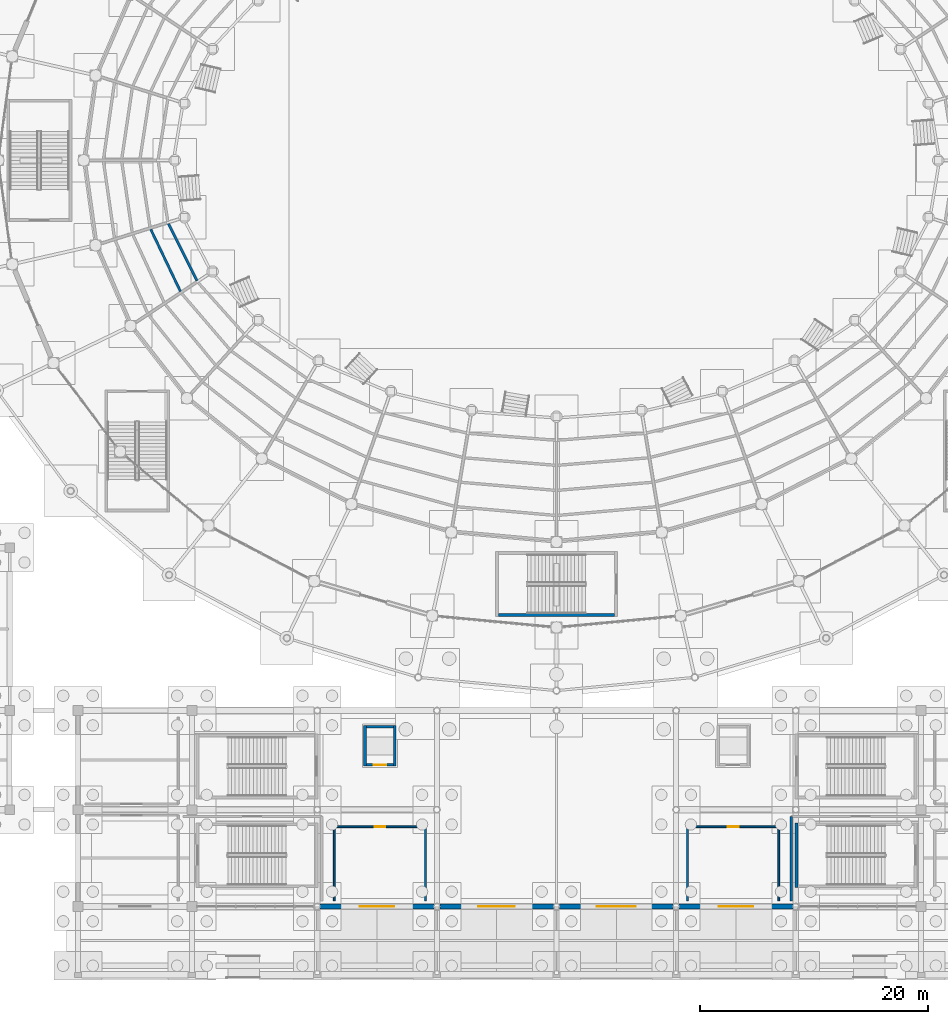
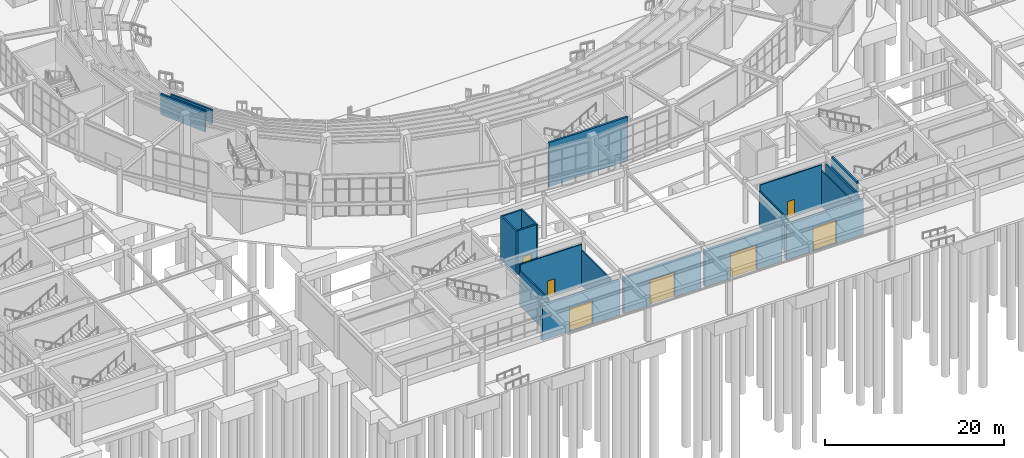
# One storey, part 83 of 121: 19 walls, 7 doors, 7 openings.
"""IFC4 building model written with IfcOpenShell, lengths in metres."""

from ifc_helpers import new_model, si_unit, direction, frame, frame_2d, origin, place, context, subcontext, project, spatial, rectangle, extrude, material, layer, layer_set, type_object, element, fill, save


model = new_model("IFC4")

# Units and contexts
model_context = context("Model", 3, precision=1e-05, world=origin(), true_north=direction((0.0, 1.0)))
body_context = subcontext(model_context, "Body", "Model", "MODEL_VIEW")
ifc_project = project(units=[si_unit("LENGTHUNIT", "METRE"), si_unit("AREAUNIT", "SQUARE_METRE"), si_unit("VOLUMEUNIT", "CUBIC_METRE"), si_unit("PLANEANGLEUNIT", "RADIAN"), si_unit("MASSUNIT", "GRAM", prefix="KILO")], contexts=[model_context])

# Site, building, storey
site_placement = place(None, origin())
site = spatial("IfcSite", under=ifc_project, at=site_placement, CompositionType="ELEMENT")
building_placement = place(site_placement, origin())
building = spatial("IfcBuilding", under=site, at=building_placement, Name="Cuetzalor Civic Arena", CompositionType="ELEMENT")
storey_placement = place(building_placement, origin())
storey = spatial("IfcBuildingStorey", under=building, at=storey_placement, Name="L00", CompositionType="ELEMENT", Elevation=0.0)

# Wall, opening, door
ifc_material_1 = material(Name="Acoustic steel-stud gypsum partition", Category="steel")
ifc_layer_1 = layer(ifc_material_1, 0.14990234375)
ifc_layer_set_1 = layer_set([ifc_layer_1], Name="Acoustic steel-stud gypsum partition")
wall_type_1 = type_object("IfcWallType", Name="AcousticGypsumPartition_150", PredefinedType="PARTITIONING", material=ifc_layer_set_1)
wall_1_placement = place(storey_placement, frame((-19.5, -58.5, 0.0), z_axis=(0.0, 0.0, 1.0), x_axis=(1.0, 0.0, 0.0)))
wall_1 = element("IfcWall", 1, at=wall_1_placement, inside=storey, type_object=wall_type_1, Name="Interior Partition IWALL:L00:0081", PredefinedType="PARTITIONING", context=body_context, shape_type="SweptSolid", body=[
    extrude(rectangle(XDim=8.0, YDim=0.14990234375, at=frame_2d((4.0, 0.0))), origin(), (0.0, 0.0, 1.0), 5.639892578125),
])
opening_1_placement = place(wall_1_placement, frame((3.52490234375, 0.0, 0.0)))
opening_1 = element("IfcOpeningElement", 2, at=opening_1_placement, cuts=wall_1, Name="Opening ID-03", PredefinedType="OPENING", context=body_context, shape_type="SweptSolid", body=[
    extrude(rectangle(XDim=0.949951171875, YDim=2.14990234375, at=frame_2d((0.47509765625, 1.074951171875))), frame((0.0, 0.0849609375, 0.0), z_axis=(0.0, -1.0, 0.0), x_axis=(1.0, 0.0, 0.0)), (0.0, 0.0, 1.0), 0.169921875),
])
ifc_material_2 = material(Name="Painted steel frame and solid timber leaf", Category="steel")
door_type_1 = type_object("IfcDoorType", Name="InteriorSingleDoor_950x2150", OperationType="NOTDEFINED", PredefinedType="DOOR", material=ifc_material_2)
door_1_placement = place(opening_1_placement, origin())
door_1 = element("IfcDoor", 3, at=door_1_placement, inside=storey, type_object=door_type_1, Name="Door to Public Restroom Foyer L00", OperationType="SINGLE_SWING_RIGHT", OverallHeight=2.14990234375, OverallWidth=0.949951171875, PredefinedType="DOOR", context=body_context, shape_type="SweptSolid", body=[
    extrude(rectangle(XDim=0.949951171875, YDim=2.14990234375, at=frame_2d((0.47509765625, 1.074951171875))), frame((0.0, 0.02490234375, 0.0), z_axis=(0.0, -1.0, 0.0), x_axis=(1.0, 0.0, 0.0)), (0.0, 0.0, 1.0), 0.050048828125),
])
fill(opening_1, door_1)

# Walls
for number, where, z_axis, x_axis, name in (
    (4, (-11.5, -58.5, 0.0), (0.0, 0.0, 1.0), (0.0, -1.0, 0.0), "Interior Partition IWALL:L00:0082"),
    (5, (-19.5, -65.0, 0.0), (0.0, 0.0, 1.0), (0.0, 1.0, 0.0), "Interior Partition IWALL:L00:0083"),
):
    element("IfcWall", number, at=place(storey_placement, frame(where, z_axis=z_axis, x_axis=x_axis)), inside=storey, type_object=wall_type_1, Name=name, PredefinedType="PARTITIONING", context=body_context, shape_type="SweptSolid", body=[
        extrude(rectangle(XDim=6.5, YDim=0.14990234375, at=frame_2d((3.25, 0.0))), origin(), (0.0, 0.0, 1.0), 4.824951171875),
    ])

# Wall, opening, door
wall_2_placement = place(storey_placement, frame((11.5, -58.5, 0.0), z_axis=(0.0, 0.0, 1.0), x_axis=(1.0, 0.0, 0.0)))
wall_2 = element("IfcWall", 6, at=wall_2_placement, inside=storey, type_object=wall_type_1, Name="Interior Partition IWALL:L00:0084", PredefinedType="PARTITIONING", context=body_context, shape_type="SweptSolid", body=[
    extrude(rectangle(XDim=8.0, YDim=0.14990234375, at=frame_2d((4.0, 0.0))), origin(), (0.0, 0.0, 1.0), 5.639892578125),
])
opening_2_placement = place(wall_2_placement, frame((3.52490234375, 0.0, 0.0)))
opening_2 = element("IfcOpeningElement", 7, at=opening_2_placement, cuts=wall_2, Name="Opening ID-03", PredefinedType="OPENING", context=body_context, shape_type="SweptSolid", body=[
    extrude(rectangle(XDim=0.949951171875, YDim=2.14990234375, at=frame_2d((0.47509765625, 1.074951171875))), frame((0.0, 0.0849609375, 0.0), z_axis=(0.0, -1.0, 0.0), x_axis=(1.0, 0.0, 0.0)), (0.0, 0.0, 1.0), 0.169921875),
])
door_2_placement = place(opening_2_placement, origin())
door_2 = element("IfcDoor", 8, at=door_2_placement, inside=storey, type_object=door_type_1, Name="Door to Accessible WC Foyer L00", OperationType="SINGLE_SWING_LEFT", OverallHeight=2.14990234375, OverallWidth=0.949951171875, PredefinedType="DOOR", context=body_context, shape_type="SweptSolid", body=[
    extrude(rectangle(XDim=0.949951171875, YDim=2.14990234375, at=frame_2d((0.47509765625, 1.074951171875))), frame((0.0, 0.02490234375, 0.0), z_axis=(0.0, -1.0, 0.0), x_axis=(1.0, 0.0, 0.0)), (0.0, 0.0, 1.0), 0.050048828125),
])
fill(opening_2, door_2)

# Walls
for number, where, z_axis, x_axis, name in (
    (9, (19.5, -58.5, 0.0), (0.0, 0.0, 1.0), (0.0, -1.0, 0.0), "Interior Partition IWALL:L00:0085"),
    (10, (11.5, -65.0, 0.0), (0.0, 0.0, 1.0), (0.0, 1.0, 0.0), "Interior Partition IWALL:L00:0086"),
):
    element("IfcWall", number, at=place(storey_placement, frame(where, z_axis=z_axis, x_axis=x_axis)), inside=storey, type_object=wall_type_1, Name=name, PredefinedType="PARTITIONING", context=body_context, shape_type="SweptSolid", body=[
        extrude(rectangle(XDim=6.5, YDim=0.14990234375, at=frame_2d((3.25, 0.0))), origin(), (0.0, 0.0, 1.0), 4.824951171875),
    ])

# Wall, opening, door
ifc_material_3 = material(Name="Puebla cantera gris stone on Concrete C35/45", Category="masonry")
ifc_layer_2 = layer(ifc_material_3, 0.419921875)
ifc_layer_set_2 = layer_set([ifc_layer_2], Name="Puebla cantera gris stone on Concrete C35/45")
wall_type_2 = type_object("IfcWallType", Name="CanteraStoneArcadeWall_420", PredefinedType="SOLIDWALL", material=ifc_layer_set_2)
wall_3_placement = place(storey_placement, frame((-10.761474609375, -65.5, 0.0), z_axis=(0.0, 0.0, 1.0), x_axis=(-1.0, 0.0, 0.0)))
wall_3 = element("IfcWall", 11, at=wall_3_placement, inside=storey, type_object=wall_type_2, Name="South Foyer Colonnade Entrance Wall L00-090", PredefinedType="SOLIDWALL", context=body_context, shape_type="SweptSolid", body=[
    extrude(rectangle(XDim=9.97705078125, YDim=0.419921875, at=frame_2d((4.988525390625, 0.0))), origin(), (0.0, 0.0, 1.0), 4.739990234375),
])
opening_3_placement = place(wall_3_placement, frame((3.488525390625, 0.0, 0.0)))
opening_3 = element("IfcOpeningElement", 12, at=opening_3_placement, cuts=wall_3, Name="Opening ED-04", PredefinedType="OPENING", context=body_context, shape_type="SweptSolid", body=[
    extrude(rectangle(XDim=3.0, YDim=3.199951171875, at=frame_2d((1.5, 1.60009765625))), frame((0.0, 0.219970703125, 0.0), z_axis=(0.0, -1.0, 0.0), x_axis=(1.0, 0.0, 0.0)), (0.0, 0.0, 1.0), 0.43994140625),
])
ifc_material_4 = material(Name="Thermally broken bronze steel and laminated glass", Category="steel")
door_type_2 = type_object("IfcDoorType", Name="MainColonnadeEntrance_3000x3200", OperationType="DOUBLE_DOOR_SINGLE_SWING", PredefinedType="DOOR", material=ifc_material_4)
door_3_placement = place(opening_3_placement, origin())
door_3 = element("IfcDoor", 13, at=door_3_placement, inside=storey, type_object=door_type_2, Name="Main entrance E02", OperationType="DOUBLE_DOOR_SINGLE_SWING", OverallHeight=3.199951171875, OverallWidth=3.0, PredefinedType="DOOR", context=body_context, shape_type="SweptSolid", body=[
    extrude(rectangle(XDim=3.0, YDim=3.199951171875, at=frame_2d((1.5, 1.60009765625))), frame((0.0, 0.02490234375, 0.0), z_axis=(0.0, -1.0, 0.0), x_axis=(1.0, 0.0, 0.0)), (0.0, 0.0, 1.0), 0.050048828125),
])
fill(opening_3, door_3)

wall_4_placement = place(storey_placement, frame((-0.261474609375, -65.5, 0.0), z_axis=(0.0, 0.0, 1.0), x_axis=(-1.0, 0.0, 0.0)))
wall_4 = element("IfcWall", 14, at=wall_4_placement, inside=storey, type_object=wall_type_2, Name="South Foyer Colonnade Entrance Wall L00-091", PredefinedType="SOLIDWALL", context=body_context, shape_type="SweptSolid", body=[
    extrude(rectangle(XDim=9.97705078125, YDim=0.419921875, at=frame_2d((4.988525390625, 0.0))), origin(), (0.0, 0.0, 1.0), 4.840087890625),
])
opening_4_placement = place(wall_4_placement, frame((3.388427734375, 0.0, 0.0)))
opening_4 = element("IfcOpeningElement", 15, at=opening_4_placement, cuts=wall_4, Name="Opening ED-05", PredefinedType="OPENING", context=body_context, shape_type="SweptSolid", body=[
    extrude(rectangle(XDim=3.199951171875, YDim=3.39990234375, at=frame_2d((1.60009765625, 1.699951171875))), frame((0.0, 0.219970703125, 0.0), z_axis=(0.0, -1.0, 0.0), x_axis=(1.0, 0.0, 0.0)), (0.0, 0.0, 1.0), 0.43994140625),
])
ifc_material_5 = material(Name="Thermally broken bronze steel and laminated glass", Category="steel")
door_type_3 = type_object("IfcDoorType", Name="CivicFoyerGrandPortal_3200x3400", OperationType="DOUBLE_DOOR_SINGLE_SWING", PredefinedType="DOOR", material=ifc_material_5)
door_4_placement = place(opening_4_placement, origin())
door_4 = element("IfcDoor", 16, at=door_4_placement, inside=storey, type_object=door_type_3, Name="Main entrance E03", OperationType="DOUBLE_DOOR_SINGLE_SWING", OverallHeight=3.39990234375, OverallWidth=3.199951171875, PredefinedType="DOOR", context=body_context, shape_type="SweptSolid", body=[
    extrude(rectangle(XDim=3.199951171875, YDim=3.39990234375, at=frame_2d((1.60009765625, 1.699951171875))), frame((0.0, 0.02490234375, 0.0), z_axis=(0.0, -1.0, 0.0), x_axis=(1.0, 0.0, 0.0)), (0.0, 0.0, 1.0), 0.050048828125),
])
fill(opening_4, door_4)

wall_5_placement = place(storey_placement, frame((10.238525390625, -65.5, 0.0), z_axis=(0.0, 0.0, 1.0), x_axis=(-1.0, 0.0, 0.0)))
wall_5 = element("IfcWall", 17, at=wall_5_placement, inside=storey, type_object=wall_type_2, Name="South Foyer Colonnade Entrance Wall L00-092", PredefinedType="SOLIDWALL", context=body_context, shape_type="SweptSolid", body=[
    extrude(rectangle(XDim=9.97705078125, YDim=0.419921875, at=frame_2d((4.988525390625, 0.0))), origin(), (0.0, 0.0, 1.0), 4.840087890625),
])
opening_5_placement = place(wall_5_placement, frame((3.28857421875, 0.0, 0.0)))
opening_5 = element("IfcOpeningElement", 18, at=opening_5_placement, cuts=wall_5, Name="Opening ED-06", PredefinedType="OPENING", context=body_context, shape_type="SweptSolid", body=[
    extrude(rectangle(XDim=3.39990234375, YDim=3.39990234375, at=frame_2d((1.699951171875, 1.699951171875))), frame((0.0, 0.219970703125, 0.0), z_axis=(0.0, -1.0, 0.0), x_axis=(1.0, 0.0, 0.0)), (0.0, 0.0, 1.0), 0.43994140625),
])
ifc_material_6 = material(Name="Thermally broken bronze steel and laminated glass", Category="steel")
door_type_4 = type_object("IfcDoorType", Name="CivicFoyerGrandPortal_3400x3400", OperationType="DOUBLE_DOOR_SINGLE_SWING", PredefinedType="DOOR", material=ifc_material_6)
door_5_placement = place(opening_5_placement, origin())
door_5 = element("IfcDoor", 19, at=door_5_placement, inside=storey, type_object=door_type_4, Name="Main entrance E04", OperationType="DOUBLE_DOOR_SINGLE_SWING", OverallHeight=3.39990234375, OverallWidth=3.39990234375, PredefinedType="DOOR", context=body_context, shape_type="SweptSolid", body=[
    extrude(rectangle(XDim=3.39990234375, YDim=3.39990234375, at=frame_2d((1.699951171875, 1.699951171875))), frame((0.0, 0.02490234375, 0.0), z_axis=(0.0, -1.0, 0.0), x_axis=(1.0, 0.0, 0.0)), (0.0, 0.0, 1.0), 0.050048828125),
])
fill(opening_5, door_5)

wall_6_placement = place(storey_placement, frame((20.738525390625, -65.5, 0.0), z_axis=(0.0, 0.0, 1.0), x_axis=(-1.0, 0.0, 0.0)))
wall_6 = element("IfcWall", 20, at=wall_6_placement, inside=storey, type_object=wall_type_2, Name="South Foyer Colonnade Entrance Wall L00-093", PredefinedType="SOLIDWALL", context=body_context, shape_type="SweptSolid", body=[
    extrude(rectangle(XDim=9.97705078125, YDim=0.419921875, at=frame_2d((4.988525390625, 0.0))), origin(), (0.0, 0.0, 1.0), 4.739990234375),
])
opening_6_placement = place(wall_6_placement, frame((3.488525390625, 0.0, 0.0)))
opening_6 = element("IfcOpeningElement", 21, at=opening_6_placement, cuts=wall_6, Name="Opening ED-04", PredefinedType="OPENING", context=body_context, shape_type="SweptSolid", body=[
    extrude(rectangle(XDim=3.0, YDim=3.199951171875, at=frame_2d((1.5, 1.60009765625))), frame((0.0, 0.219970703125, 0.0), z_axis=(0.0, -1.0, 0.0), x_axis=(1.0, 0.0, 0.0)), (0.0, 0.0, 1.0), 0.43994140625),
])
door_6_placement = place(opening_6_placement, origin())
door_6 = element("IfcDoor", 22, at=door_6_placement, inside=storey, type_object=door_type_2, Name="Main entrance E05", OperationType="DOUBLE_DOOR_SINGLE_SWING", OverallHeight=3.199951171875, OverallWidth=3.0, PredefinedType="DOOR", context=body_context, shape_type="SweptSolid", body=[
    extrude(rectangle(XDim=3.0, YDim=3.199951171875, at=frame_2d((1.5, 1.60009765625))), frame((0.0, 0.02490234375, 0.0), z_axis=(0.0, -1.0, 0.0), x_axis=(1.0, 0.0, 0.0)), (0.0, 0.0, 1.0), 0.050048828125),
])
fill(opening_6, door_6)

# Walls
ifc_material_7 = material(Name="Concrete C40/50", Category="concrete")
ifc_layer_3 = layer(ifc_material_7, 0.25)
ifc_layer_set_3 = layer_set([ifc_layer_3], Name="Concrete C40/50")
wall_type_3 = type_object("IfcWallType", Name="ConcreteCoreShearWall_250", PredefinedType="SHEAR", material=ifc_layer_set_3)
wall_7_placement = place(storey_placement, frame((5.10009765625, -39.925048828125, 0.0), z_axis=(0.0, 0.0, 1.0), x_axis=(-1.0, 0.0, 0.0)))
element("IfcWall", 23, at=wall_7_placement, inside=storey, type_object=wall_type_3, Name="Stair Core Shear Wall ST-07-L00-S", PredefinedType="SHEAR", context=body_context, shape_type="SweptSolid", body=[
    extrude(rectangle(XDim=10.2001953125, YDim=0.25, at=frame_2d((5.10009765625, 0.0))), origin(), (0.0, 0.0, 1.0), 6.0),
])
wall_8_placement = place(storey_placement, frame((21.074951171875, -63.85009765625, 0.0), z_axis=(0.0, 0.0, 1.0), x_axis=(0.0, 1.0, 0.0)))
element("IfcWall", 24, at=wall_8_placement, inside=storey, type_object=wall_type_3, Name="Stair Core Shear Wall ST-12-L00-W", PredefinedType="SHEAR", context=body_context, shape_type="SweptSolid", body=[
    extrude(rectangle(XDim=5.7001953125, YDim=0.25, at=frame_2d((2.85009765625, 0.0))), origin(), (0.0, 0.0, 1.0), 6.0),
])
ifc_material_8 = material(Name="Fire-rated masonry and gypsum partition", Category="masonry")
ifc_layer_4 = layer(ifc_material_8, 0.199951171875)
ifc_layer_set_4 = layer_set([ifc_layer_4], Name="Fire-rated masonry and gypsum partition")
wall_type_4 = type_object("IfcWallType", Name="FireCompartmentWall_200", PredefinedType="PARTITIONING", material=ifc_layer_set_4)
wall_9_placement = place(storey_placement, frame((20.60009765625, -65.0, 0.0), z_axis=(0.0, 0.0, 1.0), x_axis=(0.0, 1.0, 0.0)))
element("IfcWall", 25, at=wall_9_placement, inside=storey, type_object=wall_type_4, Name="Interior Partition IWALL:L00:0090", PredefinedType="PARTITIONING", context=body_context, shape_type="SweptSolid", body=[
    extrude(rectangle(XDim=7.39990234375, YDim=0.199951171875, at=frame_2d((3.699951171875, 0.0))), origin(), (0.0, 0.0, 1.0), 4.824951171875),
])
ifc_material_9 = material(Name="Concrete C40/50", Category="concrete")
ifc_layer_5 = layer(ifc_material_9, 0.219970703125)
ifc_layer_set_5 = layer_set([ifc_layer_5], Name="Concrete C40/50")
wall_type_5 = type_object("IfcWallType", Name="LiftShaftShearWall_220", PredefinedType="SHEAR", material=ifc_layer_set_5)
wall_10_placement = place(storey_placement, frame((-16.81005859375, -53.169921875, 0.0), z_axis=(0.0, 0.0, 1.0), x_axis=(0.0, 1.0, 0.0)))
element("IfcWall", 26, at=wall_10_placement, inside=storey, type_object=wall_type_5, Name="Lift Shaft Wall LP-01-L00-W", PredefinedType="SHEAR", context=body_context, shape_type="SweptSolid", body=[
    extrude(rectangle(XDim=3.5400390625, YDim=0.219970703125, at=frame_2d((1.77001953125, 0.0))), origin(), (0.0, 0.0, 1.0), 6.0),
])
wall_11_placement = place(storey_placement, frame((-16.699951171875, -49.739990234375, 0.0), z_axis=(0.0, 0.0, 1.0), x_axis=(1.0, 0.0, 0.0)))
element("IfcWall", 27, at=wall_11_placement, inside=storey, type_object=wall_type_5, Name="Lift Shaft Wall LP-01-L00-N", PredefinedType="SHEAR", context=body_context, shape_type="SweptSolid", body=[
    extrude(rectangle(XDim=2.39990234375, YDim=0.219970703125, at=frame_2d((1.199951171875, 0.0))), origin(), (0.0, 0.0, 1.0), 6.0),
])
wall_12_placement = place(storey_placement, frame((-14.18994140625, -49.6298828125, 0.0), z_axis=(0.0, 0.0, 1.0), x_axis=(0.0, -1.0, 0.0)))
element("IfcWall", 28, at=wall_12_placement, inside=storey, type_object=wall_type_5, Name="Lift Shaft Wall LP-01-L00-E", PredefinedType="SHEAR", context=body_context, shape_type="SweptSolid", body=[
    extrude(rectangle(XDim=3.5400390625, YDim=0.219970703125, at=frame_2d((1.77001953125, 0.0))), origin(), (0.0, 0.0, 1.0), 6.0),
])

# Wall, opening, door
wall_13_placement = place(storey_placement, frame((-14.300048828125, -53.06005859375, 0.0), z_axis=(0.0, 0.0, 1.0), x_axis=(-1.0, 0.0, 0.0)))
wall_13 = element("IfcWall", 29, at=wall_13_placement, inside=storey, type_object=wall_type_5, Name="Lift Shaft Wall LP-01-L00-S", PredefinedType="SHEAR", context=body_context, shape_type="SweptSolid", body=[
    extrude(rectangle(XDim=2.39990234375, YDim=0.219970703125, at=frame_2d((1.199951171875, 0.0))), origin(), (0.0, 0.0, 1.0), 6.0),
])
opening_7_placement = place(wall_13_placement, frame((0.64990234375, 0.0, 0.0)))
opening_7 = element("IfcOpeningElement", 30, at=opening_7_placement, cuts=wall_13, Name="Opening LD-01", PredefinedType="OPENING", context=body_context, shape_type="SweptSolid", body=[
    extrude(rectangle(XDim=1.10009765625, YDim=2.199951171875, at=frame_2d((0.550048828125, 1.10009765625))), frame((0.0, 0.1201171875, 0.0), z_axis=(0.0, -1.0, 0.0), x_axis=(1.0, 0.0, 0.0)), (0.0, 0.0, 1.0), 0.239990234375),
])
ifc_material_10 = material(Name="Brushed stainless steel sliding lift landing door", Category="steel")
door_type_5 = type_object("IfcDoorType", Name="LiftLandingSlidingDoor_1100x2200", OperationType="SLIDING_TO_LEFT", PredefinedType="DOOR", material=ifc_material_10)
door_7_placement = place(opening_7_placement, origin())
door_7 = element("IfcDoor", 31, at=door_7_placement, inside=storey, type_object=door_type_5, Name="Lift Landing Sliding Door LP-01 L00", OperationType="SLIDING_TO_LEFT", OverallHeight=2.199951171875, OverallWidth=1.10009765625, PredefinedType="DOOR", context=body_context, shape_type="SweptSolid", body=[
    extrude(rectangle(XDim=1.10009765625, YDim=2.199951171875, at=frame_2d((0.550048828125, 1.10009765625))), frame((0.0, 0.02490234375, 0.0), z_axis=(0.0, -1.0, 0.0), x_axis=(1.0, 0.0, 0.0)), (0.0, 0.0, 1.0), 0.050048828125),
])
fill(opening_7, door_7)

# Walls
ifc_material_11 = material(Name="Precast concrete C40/50", Category="concrete")
ifc_layer_6 = layer(ifc_material_11, 0.2099609375)
ifc_layer_set_6 = layer_set([ifc_layer_6], Name="Precast concrete C40/50")
wall_type_6 = type_object("IfcWallType", Name="PrecastBowlRiserWall_210", PredefinedType="SHEAR", material=ifc_layer_set_6)
wall_14_placement = place(storey_placement, frame((-34.054931640625, -5.56640625, 0.0), z_axis=(0.0, 0.0, 1.0), x_axis=(0.44579738942, -0.895133893664, 0.0)))
element("IfcWall", 32, at=wall_14_placement, inside=storey, type_object=wall_type_6, Name="Lower Bowl Riser Support Wall S16-R1", PredefinedType="SHEAR", context=body_context, shape_type="SweptSolid", body=[
    extrude(rectangle(XDim=5.587646484375, YDim=0.2099609375, at=frame_2d((2.7939453125, 0.0))), origin(), (0.0, 0.0, 1.0), 1.93994140625),
])
wall_15_placement = place(storey_placement, frame((-35.6162109375, -6.056396484375, 0.0), z_axis=(0.0, 0.0, 1.0), x_axis=(0.431231590807, -0.902241273214, 0.0)))
element("IfcWall", 33, at=wall_15_placement, inside=storey, type_object=wall_type_6, Name="Lower Bowl Riser Support Wall S16-R2", PredefinedType="SHEAR", context=body_context, shape_type="SweptSolid", body=[
    extrude(rectangle(XDim=6.057861328125, YDim=0.2099609375, at=frame_2d((3.02880859375, 0.0))), origin(), (0.0, 0.0, 1.0), 2.860107421875),
])

save(model, "model.ifc")
